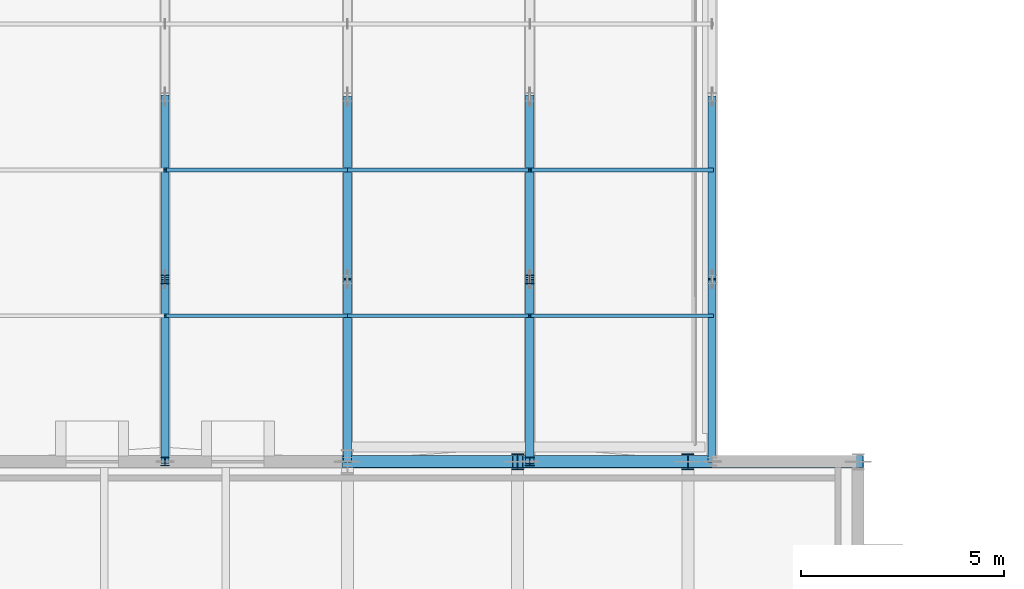
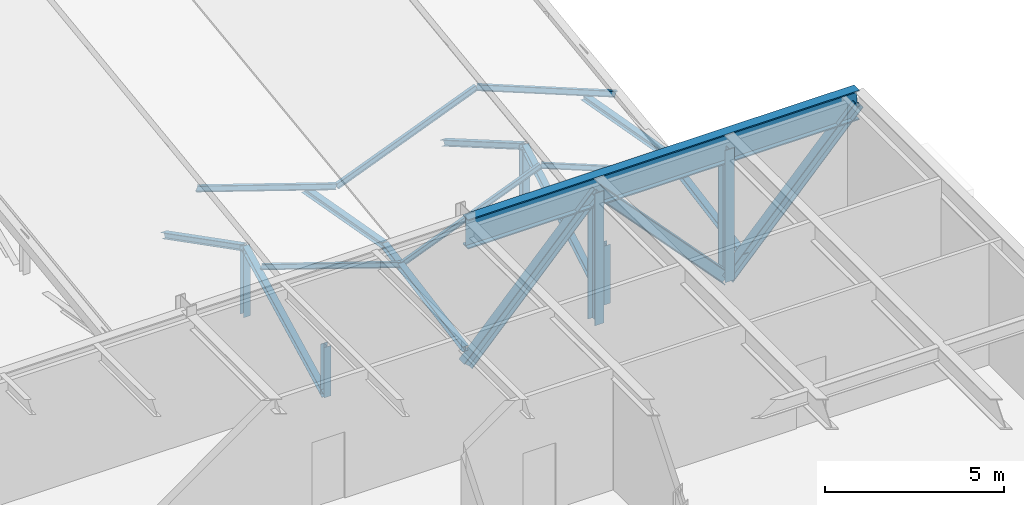
# One storey, part 47 of 142: 23 members, 1 beam.
"""IFC4 building model written with IfcOpenShell, lengths in metres."""

import ifcopenshell
import ifcopenshell.guid

model = None  # the IFC model being written
_history = None  # IfcOwnerHistory: only IFC2X3 demands one
_inside = {}  # id of a spatial element -> (the spatial element, [elements in it])
_under = {}  # id of a project, library or spatial element -> (it, [spatial elements below it])
_declared = {}  # id of a project -> (the project, [libraries it declares])
_typed = {}  # id of a type object -> (the type object, [elements of that type])
_made_of = {}  # id of a material, layer set ... -> (it, [elements and type objects made of it])


def new_model(schema):
    """Start an empty IFC model of exactly this schema.

    Asked for "IFC4X3", IfcOpenShell would pick the latest addendum, in which some entities
    have other attributes; the version numbers below select the first issue.
    IFC2X3 requires an IfcOwnerHistory on every rooted entity: one is made here for all.
    """
    global model, _history
    if schema == "IFC4X3":
        model = ifcopenshell.file(schema_version=(4, 3, 0, 0))
    else:
        model = ifcopenshell.file(schema=schema)
    _inside.clear()
    _under.clear()
    _declared.clear()
    _typed.clear()
    _made_of.clear()
    _history = None
    if model.schema == "IFC2X3":
        org = make("IfcOrganization", Name="unknown")
        user = make(
            "IfcPersonAndOrganization",
            ThePerson=make("IfcPerson", FamilyName="unknown"),
            TheOrganization=org,
        )
        app = make(
            "IfcApplication",
            ApplicationDeveloper=org,
            Version="unknown",
            ApplicationFullName="unknown",
            ApplicationIdentifier="unknown",
        )
        _history = make(
            "IfcOwnerHistory",
            OwningUser=user,
            OwningApplication=app,
            ChangeAction="ADDED",
            CreationDate=0,
        )
    return model


def make(cls, **values):
    """One entity of the class cls with the attributes given. An attribute that is None is left unset."""
    return model.create_entity(
        cls, **{name: value for name, value in values.items() if value is not None}
    )


def rooted(cls, **values):
    """An entity with a GlobalId (a new one), such as an element, a storey or a relation."""
    return make(cls, GlobalId=ifcopenshell.guid.new(), OwnerHistory=_history, **values)


def si_unit(unit_type, name, prefix=None):
    """IfcSIUnit, for example si_unit("LENGTHUNIT", "METRE", prefix="MILLI")."""
    return make("IfcSIUnit", UnitType=unit_type, Prefix=prefix, Name=name)


def assignment(units):
    """IfcUnitAssignment: the units of a project."""
    return None if units is None else make("IfcUnitAssignment", Units=units)


def point(xyz):
    """IfcCartesianPoint."""
    return None if xyz is None else make("IfcCartesianPoint", Coordinates=xyz)


def direction(xyz):
    """IfcDirection."""
    return None if xyz is None else make("IfcDirection", DirectionRatios=xyz)


def frame(location, z_axis=None, x_axis=None):
    """IfcAxis2Placement3D, a coordinate frame: its origin and axes. An axis left out is left unset."""
    return make(
        "IfcAxis2Placement3D",
        Location=point(location),
        Axis=direction(z_axis),
        RefDirection=direction(x_axis),
    )


def frame_2d(location, x_axis=None):
    """IfcAxis2Placement2D, a coordinate frame in the plane: its origin and x axis."""
    return make(
        "IfcAxis2Placement2D", Location=point(location), RefDirection=direction(x_axis)
    )


def origin():
    """The frame at (0, 0, 0) with its axes left unset."""
    return frame((0.0, 0.0, 0.0))


def origin_2d():
    """The frame at (0, 0) in the plane with its x axis left unset."""
    return frame_2d((0.0, 0.0))


def place(relative_to, where):
    """IfcLocalPlacement: puts the frame where relative to a parent placement (None: the world)."""
    return make(
        "IfcLocalPlacement", PlacementRelTo=relative_to, RelativePlacement=where
    )


def context(
    kind, dimensions, precision=None, world=None, true_north=None, identifier=None
):
    """IfcGeometricRepresentationContext, for example the 3D "Model" context."""
    return make(
        "IfcGeometricRepresentationContext",
        ContextIdentifier=identifier,
        ContextType=kind,
        CoordinateSpaceDimension=dimensions,
        Precision=precision,
        WorldCoordinateSystem=world,
        TrueNorth=true_north,
    )


def subcontext(parent, identifier, kind, view, scale=None):
    """IfcGeometricRepresentationSubContext, for example "Body" below "Model"."""
    return make(
        "IfcGeometricRepresentationSubContext",
        ContextIdentifier=identifier,
        ContextType=kind,
        ParentContext=parent,
        TargetScale=scale,
        TargetView=view,
    )


def project(units=None, contexts=None):
    """IfcProject with its units and contexts."""
    return rooted(
        "IfcProject",
        Name="project",
        RepresentationContexts=contexts,
        UnitsInContext=assignment(units),
    )


def spatial(cls, under=None, at=None, **own):
    """A site, building, storey or space (cls), placed at a placement, below another one or the project."""
    s = rooted(cls, ObjectPlacement=at, **own)
    if under is not None:
        _under.setdefault(under.id(), (under, []))[1].append(s)
    return s


def profile(cls, at=None, kind="AREA", **sizes):
    """A parametric profile (cls). Its sizes go by their IFC names, for example OverallWidth=200.0."""
    return make(cls, ProfileType=kind, Position=at, **sizes)


def i_section(**sizes):
    """IfcIShapeProfileDef."""
    return profile("IfcIShapeProfileDef", **sizes)


def extrude(swept, where, along, depth):
    """IfcExtrudedAreaSolid: the profile swept, set in the frame where, extruded along a direction by depth."""
    return make(
        "IfcExtrudedAreaSolid",
        SweptArea=swept,
        Position=where,
        ExtrudedDirection=direction(along),
        Depth=depth,
    )


def shape(context_of_items, identifier, shape_type, items):
    """IfcShapeRepresentation: the items that make up one representation, for example the "Body"."""
    return make(
        "IfcShapeRepresentation",
        ContextOfItems=context_of_items,
        RepresentationIdentifier=identifier,
        RepresentationType=shape_type,
        Items=items,
    )


def material(Name=None, Category=None):
    """IfcMaterial."""
    return make("IfcMaterial", Name=Name, Category=Category)


def material_profile(
    of_material, cross_section, Name=None, Category=None, Priority=None
):
    """IfcMaterialProfile: a cross section and its material."""
    return make(
        "IfcMaterialProfile",
        Name=Name,
        Material=of_material,
        Profile=cross_section,
        Priority=Priority,
        Category=Category,
    )


def profile_set(profiles, Name=None, composite=None):
    """IfcMaterialProfileSet."""
    return make(
        "IfcMaterialProfileSet",
        Name=Name,
        MaterialProfiles=profiles,
        CompositeProfile=composite,
    )


def made_of(thing, what):
    """Note that an element or type object is made of a material, layer set ...; save() writes the relation."""
    if what is not None:
        _made_of.setdefault(what.id(), (what, []))[1].append(thing)
    return thing


def type_object(cls, material=None, **own):
    """A type object (cls), such as IfcWallType, which elements share."""
    return made_of(rooted(cls, **own), material)


def element(
    cls,
    number,
    at=None,
    inside=None,
    cuts=None,
    type_object=None,
    material=None,
    context=None,
    identifier="Body",
    shape_type=None,
    held_by="IfcProductDefinitionShape",
    body=None,
    shapes=None,
    **own,
):
    """One element of the class cls, such as IfcWall. Its Tag is "e" and its number.

    at: its placement. inside: the storey or other place that contains it. cuts: it is an
    opening in that element (IfcRelVoidsElement). A single representation is given by context,
    identifier, shape_type and body (its items); several are given by shapes. held_by: the class
    of the entity that holds the representations. save() writes the other relations.
    """
    e = rooted(cls, Tag="e%d" % number, ObjectPlacement=at, **own)
    if body is not None:
        shapes = [shape(context, identifier, shape_type, body)]
    if shapes is not None:
        e.Representation = make(held_by, Representations=shapes)
    if inside is not None:
        _inside.setdefault(inside.id(), (inside, []))[1].append(e)
    if cuts is not None:
        rooted(
            "IfcRelVoidsElement", RelatingBuildingElement=cuts, RelatedOpeningElement=e
        )
    if type_object is not None:
        _typed.setdefault(type_object.id(), (type_object, []))[1].append(e)
    return made_of(e, material)


def aggregate(whole, parts):
    """IfcRelAggregates: a whole, such as a stair, and the parts it consists of."""
    return rooted("IfcRelAggregates", RelatingObject=whole, RelatedObjects=parts)


def save(model, path):
    """Write the relations noted so far, then the file.

    IfcRelAggregates (storeys below a building ...), IfcRelContainedInSpatialStructure (elements
    in a storey), IfcRelDefinesByType, IfcRelAssociatesMaterial and IfcRelDeclares: one each for
    every whole, place, type object, material and project.
    """
    for whole, parts in _under.values():
        aggregate(whole, parts)
    for where, things in _inside.values():
        rooted(
            "IfcRelContainedInSpatialStructure",
            RelatedElements=things,
            RelatingStructure=where,
        )
    for kind, things in _typed.values():
        rooted("IfcRelDefinesByType", RelatedObjects=things, RelatingType=kind)
    for what, things in _made_of.values():
        rooted("IfcRelAssociatesMaterial", RelatedObjects=things, RelatingMaterial=what)
    for by, libraries in _declared.values():
        rooted("IfcRelDeclares", RelatingContext=by, RelatedDefinitions=libraries)
    model.write(path)


model = new_model("IFC4")

# Units and contexts
model_context = context("Model", 3, precision=1e-05, world=origin(), true_north=direction((0.0, 1.0)))
body_context = subcontext(model_context, "Body", "Model", "MODEL_VIEW")
ifc_project = project(units=[si_unit("LENGTHUNIT", "METRE"), si_unit("AREAUNIT", "SQUARE_METRE"), si_unit("VOLUMEUNIT", "CUBIC_METRE"), si_unit("PLANEANGLEUNIT", "RADIAN"), si_unit("MASSUNIT", "GRAM", prefix="KILO")], contexts=[model_context])

# Site, building, storey
site_placement = place(None, origin())
site = spatial("IfcSite", under=ifc_project, at=site_placement, CompositionType="ELEMENT")
building_placement = place(site_placement, origin())
building = spatial("IfcBuilding", under=site, at=building_placement, Name="Montelvaro Courts of Justice", CompositionType="ELEMENT")
storey_placement = place(building_placement, frame((0.0, 0.0, 14.39990234375)))
storey = spatial("IfcBuildingStorey", under=building, at=storey_placement, Name="L03", CompositionType="ELEMENT", Elevation=14.39990234375)

# Beam
ifc_material = material(Name="Steel S355", Category="steel")
ifc_material_profile_1 = material_profile(ifc_material, i_section(OverallWidth=0.302001953125, OverallDepth=1.008056640625, WebThickness=0.02099609375, FlangeThickness=0.0400390625, at=origin_2d()), Name="HEM 1000")
ifc_profile_set_1 = profile_set([ifc_material_profile_1], Name="Steel S355")
beam_type = type_object("IfcBeamType", Name="Beam_HEM1000", PredefinedType="USERDEFINED", material=ifc_profile_set_1)
beam_placement = place(storey_placement, frame((135.0, 24.0, 3.676025390625), z_axis=(1.0, 0.0, 0.0), x_axis=(0.0, 1.0, 0.0)))
element("IfcBeam", 1, at=beam_placement, inside=storey, type_object=beam_type, Name="Pratt Cantilever Truss Chord CTR-BAR2-N-L04-OVH", ObjectType="GIRDER", PredefinedType="USERDEFINED", context=body_context, shape_type="SweptSolid", body=[
    extrude(i_section(OverallWidth=0.302001953125, OverallDepth=1.008056640625, WebThickness=0.02099609375, FlangeThickness=0.0400390625, at=origin_2d()), origin(), (0.0, 0.0, 1.0), 12.60009765625),
])

# Members
ifc_material_profile_2 = material_profile(ifc_material, i_section(OverallWidth=0.199951171875, OverallDepth=0.18994140625, WebThickness=0.006591796875, FlangeThickness=0.010009765625, at=origin_2d()), Name="HEA 200")
ifc_profile_set_2 = profile_set([ifc_material_profile_2], Name="Steel S355")
member_type_1 = type_object("IfcMemberType", Name="Mem_HEA200_Brace", PredefinedType="BRACE", material=ifc_profile_set_2)
for number, where, z_axis, x_axis, name in (
    (2, (135.0, 24.0, -0.2998046875), (0.0, 0.984190398487, 0.17711369096), (-1.0, 0.0, 0.0), "Roof Truss Web MB-02 ROOF-V4E-VTR02-W1"),
    (3, (135.0, 28.5, 0.510009765625), (0.0, 0.984190398487, -0.17711369096), (-1.0, 0.0, 0.0), "Roof Truss Web MB-02 ROOF-V4E-VTR02-W2"),
    (4, (144.0, 24.0, -0.2998046875), (0.0, 0.984190398487, 0.17711369096), (-1.0, 0.0, 0.0), "Roof Truss Web MB-02 ROOF-V4E-VTR03-W1"),
    (5, (144.0, 28.5, 0.510009765625), (0.0, 0.984190398487, -0.17711369096), (-1.0, 0.0, 0.0), "Roof Truss Web MB-02 ROOF-V4E-VTR03-W2"),
):
    element("IfcMember", number, at=place(storey_placement, frame(where, z_axis=z_axis, x_axis=x_axis)), inside=storey, type_object=member_type_1, Name=name, PredefinedType="BRACE", context=body_context, shape_type="SweptSolid", body=[
        extrude(i_section(OverallWidth=0.199951171875, OverallDepth=0.18994140625, WebThickness=0.006591796875, FlangeThickness=0.010009765625, at=origin_2d()), origin(), (0.0, 0.0, 1.0), 4.572265625),
    ])
for number, where, z_axis, x_axis, name in (
    (6, (130.5, 24.0, -0.2998046875), (0.0, 0.88964704866, 0.456648802484), (-1.0, 0.0, 0.0), "Roof Truss Web MB-02 ROOF-V4E-RTR01-W1"),
    (7, (130.5, 28.5, 2.010009765625), (0.0, 0.88964704866, -0.456648802484), (-1.0, 0.0, 0.0), "Roof Truss Web MB-02 ROOF-V4E-RTR01-W2"),
):
    element("IfcMember", number, at=place(storey_placement, frame(where, z_axis=z_axis, x_axis=x_axis)), inside=storey, type_object=member_type_1, Name=name, PredefinedType="BRACE", context=body_context, shape_type="SweptSolid", body=[
        extrude(i_section(OverallWidth=0.199951171875, OverallDepth=0.18994140625, WebThickness=0.006591796875, FlangeThickness=0.010009765625, at=origin_2d()), origin(), (0.0, 0.0, 1.0), 5.05810546875),
    ])
for number, where, z_axis, x_axis, name in (
    (8, (139.5, 24.0, -0.2998046875), (0.0, 0.865042595333, 0.501698423617), (-1.0, 0.0, 0.0), "Roof Truss Web MB-02 ROOF-V4E-RTR02-W1"),
    (9, (139.5, 28.5, 2.31005859375), (0.0, 0.865042595333, -0.501698423617), (-1.0, 0.0, 0.0), "Roof Truss Web MB-02 ROOF-V4E-RTR02-W2"),
):
    element("IfcMember", number, at=place(storey_placement, frame(where, z_axis=z_axis, x_axis=x_axis)), inside=storey, type_object=member_type_1, Name=name, PredefinedType="BRACE", context=body_context, shape_type="SweptSolid", body=[
        extrude(i_section(OverallWidth=0.199951171875, OverallDepth=0.18994140625, WebThickness=0.006591796875, FlangeThickness=0.010009765625, at=origin_2d()), origin(), (0.0, 0.0, 1.0), 5.2021484375),
    ])
ifc_material_profile_3 = material_profile(ifc_material, i_section(OverallWidth=0.219970703125, OverallDepth=0.2099609375, WebThickness=0.007080078125, FlangeThickness=0.010986328125, at=origin_2d()), Name="HEA 220")
ifc_profile_set_3 = profile_set([ifc_material_profile_3], Name="Steel S355")
member_type_2 = type_object("IfcMemberType", Name="Mem_HEA220_Post", PredefinedType="POST", material=ifc_profile_set_3)
member_1_placement = place(storey_placement, frame((130.5, 24.0, -0.2998046875), z_axis=(0.0, 0.0, 1.0), x_axis=(1.0, 0.0, 0.0)))
element("IfcMember", 10, at=member_1_placement, inside=storey, type_object=member_type_2, Name="Roof Truss Post MP-03 ROOF-V4E-RTR01-V0", PredefinedType="POST", context=body_context, shape_type="SweptSolid", body=[
    extrude(i_section(OverallWidth=0.219970703125, OverallDepth=0.2099609375, WebThickness=0.007080078125, FlangeThickness=0.010986328125, at=origin_2d()), origin(), (0.0, 0.0, 1.0), 1.7099609375),
])
member_2_placement = place(storey_placement, frame((130.5, 28.5, -0.2998046875), z_axis=(0.0, 0.0, 1.0), x_axis=(1.0, 0.0, 0.0)))
element("IfcMember", 11, at=member_2_placement, inside=storey, type_object=member_type_2, Name="Roof Truss Post MP-03 ROOF-V4E-RTR01-V1", PredefinedType="POST", context=body_context, shape_type="SweptSolid", body=[
    extrude(i_section(OverallWidth=0.219970703125, OverallDepth=0.2099609375, WebThickness=0.007080078125, FlangeThickness=0.010986328125, at=origin_2d()), origin(), (0.0, 0.0, 1.0), 2.309814453125),
])
member_3_placement = place(storey_placement, frame((139.5, 24.0, -0.2998046875), z_axis=(0.0, 0.0, 1.0), x_axis=(1.0, 0.0, 0.0)))
element("IfcMember", 12, at=member_3_placement, inside=storey, type_object=member_type_2, Name="Roof Truss Post MP-03 ROOF-V4E-RTR02-V0", PredefinedType="POST", context=body_context, shape_type="SweptSolid", body=[
    extrude(i_section(OverallWidth=0.219970703125, OverallDepth=0.2099609375, WebThickness=0.007080078125, FlangeThickness=0.010986328125, at=origin_2d()), origin(), (0.0, 0.0, 1.0), 2.010009765625),
])
member_4_placement = place(storey_placement, frame((139.5, 28.5, -0.2998046875), z_axis=(0.0, 0.0, 1.0), x_axis=(1.0, 0.0, 0.0)))
element("IfcMember", 13, at=member_4_placement, inside=storey, type_object=member_type_2, Name="Roof Truss Post MP-03 ROOF-V4E-RTR02-V1", PredefinedType="POST", context=body_context, shape_type="SweptSolid", body=[
    extrude(i_section(OverallWidth=0.219970703125, OverallDepth=0.2099609375, WebThickness=0.007080078125, FlangeThickness=0.010986328125, at=origin_2d()), origin(), (0.0, 0.0, 1.0), 2.60986328125),
])
ifc_material_profile_4 = material_profile(ifc_material, i_section(OverallWidth=0.300048828125, OverallDepth=0.360107421875, WebThickness=0.012451171875, FlangeThickness=0.0224609375, at=origin_2d()), Name="HEB 360")
ifc_profile_set_4 = profile_set([ifc_material_profile_4], Name="Steel S355")
member_type_3 = type_object("IfcMemberType", Name="Mem_HEB360_Brace", PredefinedType="BRACE", material=ifc_profile_set_4)
for number, where, z_axis, x_axis, name in (
    (14, (135.0, 24.0, -0.823974609375), (0.682314010889, 0.0, 0.73105922506), (0.0, 1.0, 0.0), "Pratt Cantilever Truss Diagonal MB-01 CTR-BAR2-N-L03-D4"),
    (15, (139.199951171875, 24.0, 3.676025390625), (0.682314010889, 0.0, -0.73105922506), (0.0, 1.0, 0.0), "Pratt Cantilever Truss Diagonal MB-01 CTR-BAR2-N-L03-D5"),
    (16, (143.39990234375, 24.0, -0.823974609375), (0.682335207557, 0.0, 0.731039441158), (0.0, 1.0, 0.0), "Pratt Cantilever Truss Diagonal MB-01 CTR-BAR2-N-L03-D6"),
):
    element("IfcMember", number, at=place(storey_placement, frame(where, z_axis=z_axis, x_axis=x_axis)), inside=storey, type_object=member_type_3, Name=name, PredefinedType="BRACE", context=body_context, shape_type="SweptSolid", body=[
        extrude(i_section(OverallWidth=0.300048828125, OverallDepth=0.360107421875, WebThickness=0.012451171875, FlangeThickness=0.0224609375, at=origin_2d()), origin(), (0.0, 0.0, 1.0), 6.155517578125),
    ])
ifc_material_profile_5 = material_profile(ifc_material, i_section(OverallWidth=0.300048828125, OverallDepth=0.39990234375, WebThickness=0.013427734375, FlangeThickness=0.02392578125, at=origin_2d()), Name="HEB 400")
ifc_profile_set_5 = profile_set([ifc_material_profile_5], Name="Steel S355")
member_type_4 = type_object("IfcMemberType", Name="Mem_HEB400_Post", PredefinedType="POST", material=ifc_profile_set_5)
for number, where, z_axis, x_axis, name in (
    (17, (139.199951171875, 24.0, -0.823974609375), (0.0, 0.0, 1.0), (1.0, 0.0, 0.0), "Pratt Cantilever Truss Post MP-01 CTR-BAR2-N-L03-1"),
    (18, (143.39990234375, 24.0, -0.823974609375), (0.0, 0.0, 1.0), (1.0, 0.0, 0.0), "Pratt Cantilever Truss Post MP-01 CTR-BAR2-N-L03-2"),
):
    element("IfcMember", number, at=place(storey_placement, frame(where, z_axis=z_axis, x_axis=x_axis)), inside=storey, type_object=member_type_4, Name=name, PredefinedType="POST", context=body_context, shape_type="SweptSolid", body=[
        extrude(i_section(OverallWidth=0.300048828125, OverallDepth=0.39990234375, WebThickness=0.013427734375, FlangeThickness=0.02392578125, at=origin_2d()), origin(), (0.0, 0.0, 1.0), 4.5),
    ])
ifc_material_profile_6 = material_profile(ifc_material, i_section(OverallWidth=0.091064453125, OverallDepth=0.179931640625, WebThickness=0.00537109375, FlangeThickness=0.008056640625, at=origin_2d()), Name="IPE 180")
ifc_profile_set_6 = profile_set([ifc_material_profile_6], Name="Steel S355")
member_type_5 = type_object("IfcMemberType", Name="Mem_IPE180_Purlin", PredefinedType="PURLIN", material=ifc_profile_set_6)
member_5_placement = place(storey_placement, frame((130.5, 27.60009765625, 1.89013671875), z_axis=(0.948683298051, 0.0, -0.316227766017), x_axis=(0.0, 1.0, 0.0)))
element("IfcMember", 19, at=member_5_placement, inside=storey, type_object=member_type_5, Name="Roof Purlin MR-01 ROOF-V4E-PRL-01-1R", PredefinedType="PURLIN", context=body_context, shape_type="SweptSolid", body=[
    extrude(i_section(OverallWidth=0.091064453125, OverallDepth=0.179931640625, WebThickness=0.00537109375, FlangeThickness=0.008056640625, at=origin_2d()), origin(), (0.0, 0.0, 1.0), 4.743408203125),
])
for number, where, z_axis, x_axis, name in (
    (20, (135.0, 27.60009765625, 0.39013671875), (0.928473216852, 0.0, 0.37139936132), (0.0, 1.0, 0.0), "Roof Purlin MR-01 ROOF-V4E-PRL-02-1L"),
    (21, (139.5, 27.60009765625, 2.190185546875), (0.928473216852, 0.0, -0.37139936132), (0.0, 1.0, 0.0), "Roof Purlin MR-01 ROOF-V4E-PRL-02-1R"),
):
    element("IfcMember", number, at=place(storey_placement, frame(where, z_axis=z_axis, x_axis=x_axis)), inside=storey, type_object=member_type_5, Name=name, PredefinedType="PURLIN", context=body_context, shape_type="SweptSolid", body=[
        extrude(i_section(OverallWidth=0.091064453125, OverallDepth=0.179931640625, WebThickness=0.00537109375, FlangeThickness=0.008056640625, at=origin_2d()), origin(), (0.0, 0.0, 1.0), 4.8466796875),
    ])
ifc_material_profile_7 = material_profile(ifc_material, i_section(OverallWidth=0.10009765625, OverallDepth=0.199951171875, WebThickness=0.005615234375, FlangeThickness=0.008544921875, at=origin_2d()), Name="IPE 200")
ifc_profile_set_7 = profile_set([ifc_material_profile_7], Name="Steel S355")
member_type_6 = type_object("IfcMemberType", Name="Mem_IPE200_Purlin", PredefinedType="PURLIN", material=ifc_profile_set_7)
member_6_placement = place(storey_placement, frame((130.5, 31.199951171875, 2.3701171875), z_axis=(0.948683298051, 0.0, -0.316227766017), x_axis=(0.0, 1.0, 0.0)))
element("IfcMember", 22, at=member_6_placement, inside=storey, type_object=member_type_6, Name="Roof Purlin MR-02 ROOF-V4E-PRL-01-2R", PredefinedType="PURLIN", context=body_context, shape_type="SweptSolid", body=[
    extrude(i_section(OverallWidth=0.10009765625, OverallDepth=0.199951171875, WebThickness=0.005615234375, FlangeThickness=0.008544921875, at=origin_2d()), origin(), (0.0, 0.0, 1.0), 4.743408203125),
])
for number, where, z_axis, x_axis, name in (
    (23, (135.0, 31.199951171875, 0.8701171875), (0.928473216852, 0.0, 0.37139936132), (0.0, 1.0, 0.0), "Roof Purlin MR-02 ROOF-V4E-PRL-02-2L"),
    (24, (139.5, 31.199951171875, 2.670166015625), (0.928473216852, 0.0, -0.37139936132), (0.0, 1.0, 0.0), "Roof Purlin MR-02 ROOF-V4E-PRL-02-2R"),
):
    element("IfcMember", number, at=place(storey_placement, frame(where, z_axis=z_axis, x_axis=x_axis)), inside=storey, type_object=member_type_6, Name=name, PredefinedType="PURLIN", context=body_context, shape_type="SweptSolid", body=[
        extrude(i_section(OverallWidth=0.10009765625, OverallDepth=0.199951171875, WebThickness=0.005615234375, FlangeThickness=0.008544921875, at=origin_2d()), origin(), (0.0, 0.0, 1.0), 4.8466796875),
    ])

save(model, "model.ifc")
